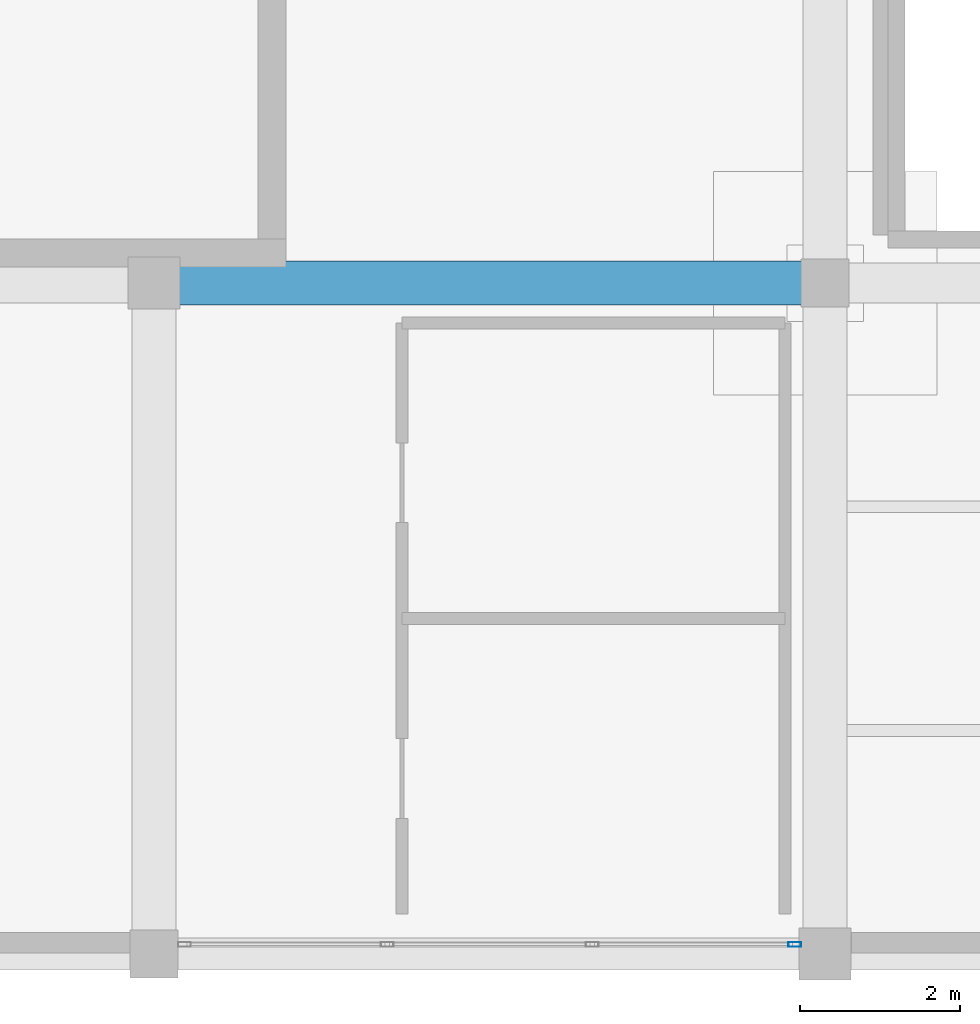
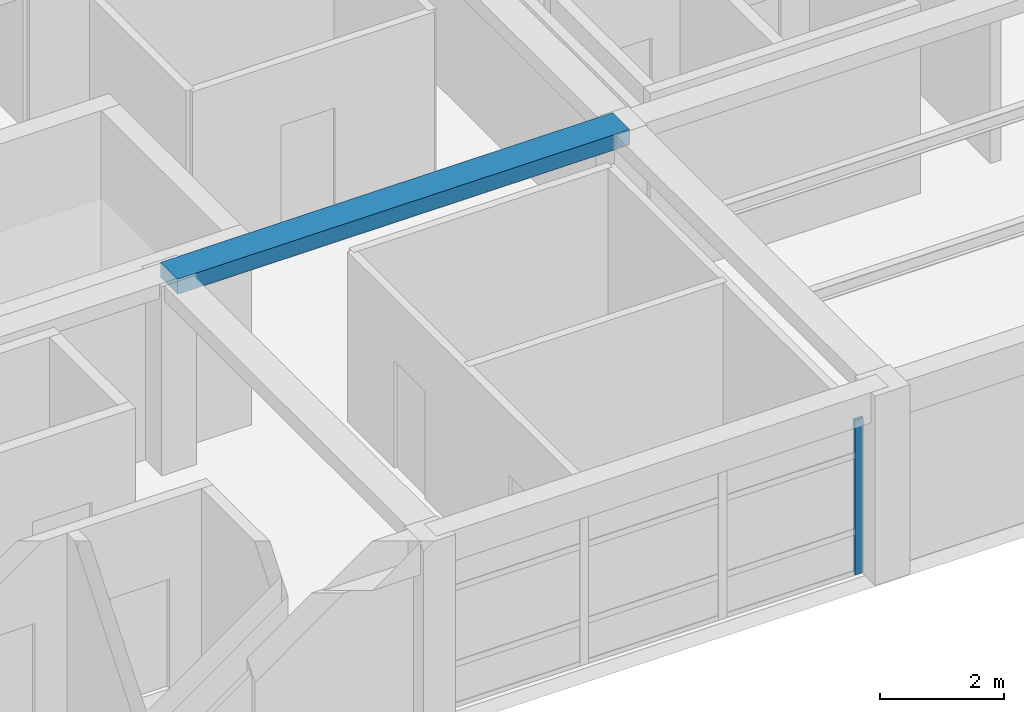
# One storey, part 5 of 26: 1 beam, 1 member, 1 element without a shape of its own.
"""IFC4 building model written with IfcOpenShell, lengths in metres."""

from ifc_helpers import new_model, si_unit, direction, frame, origin, origin_2d, place, context, subcontext, project, spatial, rectangle, hollow_rectangle, extrude, material, material_profile, profile_set, type_object, element, aggregate, save


model = new_model("IFC4")

# Units and contexts
model_context = context("Model", 3, precision=1e-05, world=origin(), true_north=direction((0.0, 1.0)))
body_context = subcontext(model_context, "Body", "Model", "MODEL_VIEW")
ifc_project = project(units=[si_unit("LENGTHUNIT", "METRE"), si_unit("AREAUNIT", "SQUARE_METRE"), si_unit("VOLUMEUNIT", "CUBIC_METRE"), si_unit("PLANEANGLEUNIT", "RADIAN"), si_unit("MASSUNIT", "GRAM", prefix="KILO")], contexts=[model_context])

# Site, building, storey
site_placement = place(None, origin())
site = spatial("IfcSite", under=ifc_project, at=site_placement, CompositionType="ELEMENT")
building_placement = place(site_placement, origin())
building = spatial("IfcBuilding", under=site, at=building_placement, Name="Almacenes y Pasaje Nevantli", CompositionType="ELEMENT")
storey_placement = place(building_placement, frame((0.0, 0.0, 54.699951171875)))
storey = spatial("IfcBuildingStorey", under=building, at=storey_placement, Name="L13", CompositionType="ELEMENT", Elevation=54.699951171875)

# Beam
ifc_material_1 = material(Name="Concrete C35/45", Category="concrete")
ifc_material_profile_1 = material_profile(ifc_material_1, rectangle(XDim=0.550048828125, YDim=0.300048828125, at=origin_2d()), Name="RC-BM-550x300")
ifc_profile_set_1 = profile_set([ifc_material_profile_1], Name="Concrete C35/45")
beam_type = type_object("IfcBeamType", Name="BM-RC-550x300", PredefinedType="BEAM", material=ifc_profile_set_1)
beam_placement = place(storey_placement, frame((126.0, 75.60009765625, 3.570068359375), z_axis=(1.0, 0.0, 0.0), x_axis=(0.0, 1.0, 0.0)))
element("IfcBeam", 1, at=beam_placement, inside=storey, type_object=beam_type, Name="L13 East-West Reinforced Concrete Beam #3944", PredefinedType="BEAM", context=body_context, shape_type="SweptSolid", body=[
    extrude(rectangle(XDim=0.550048828125, YDim=0.300048828125, at=origin_2d()), origin(), (0.0, 0.0, 1.0), 8.39990234375),
])

# Curtain wall, member
ifc_material_2 = material(Name="Thermally Broken Aluminium and Low-E Glass", Category="aluminium")
curtain_wall_type = type_object("IfcCurtainWallType", Name="CW-UNIT-TOWER", PredefinedType="USERDEFINED", material=ifc_material_2)
curtain_wall_placement = place(storey_placement, origin())
curtain_wall = element("IfcCurtainWall", 2, at=curtain_wall_placement, inside=storey, type_object=curtain_wall_type, Name="L13 Tower South Unitized Curtain Wall Bay 16", ObjectType="UNITIZED CURTAIN WALL", PredefinedType="USERDEFINED")
ifc_material_3 = material(Name="Thermally Broken Anodized Aluminium", Category="aluminium")
ifc_material_profile_2 = material_profile(ifc_material_3, hollow_rectangle(XDim=0.06005859375, YDim=0.159912109375, WallThickness=0.00390625, at=origin_2d()), Name="ALU-MUL-60x160")
ifc_profile_set_2 = profile_set([ifc_material_profile_2], Name="Thermally Broken Anodized Aluminium")
member_type = type_object("IfcMemberType", Name="CW-MUL-180", PredefinedType="MULLION", material=ifc_profile_set_2)
member_placement = place(storey_placement, frame((134.02001953125, 67.320068359375, 0.0), z_axis=(0.0, 0.0, 1.0), x_axis=(0.0, 1.0, 0.0)))
member = element("IfcMember", 3, at=member_placement, type_object=member_type, Name="CW-L13-169 mullion 4", PredefinedType="MULLION", context=body_context, shape_type="SweptSolid", body=[
    extrude(hollow_rectangle(XDim=0.06005859375, YDim=0.159912109375, WallThickness=0.00390625, at=origin_2d()), origin(), (0.0, 0.0, 1.0), 3.0400390625),
])
aggregate(curtain_wall, [member])

save(model, "model.ifc")
